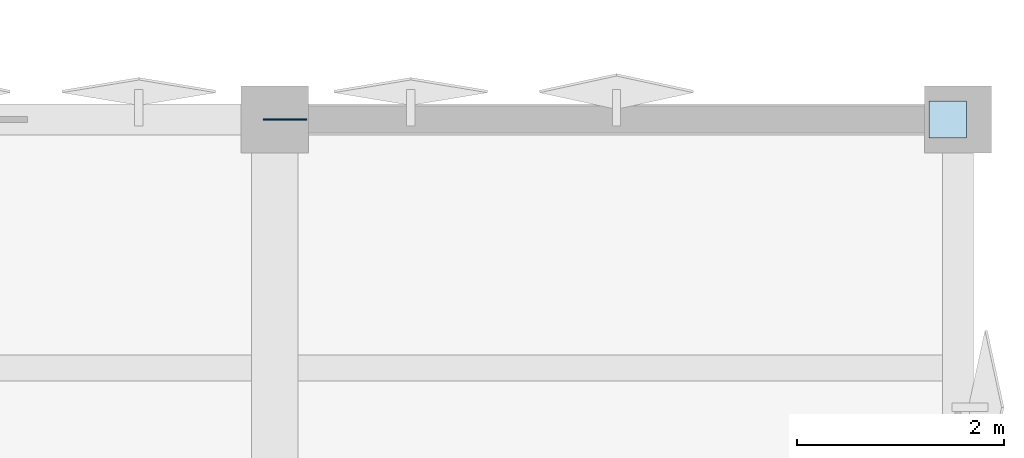
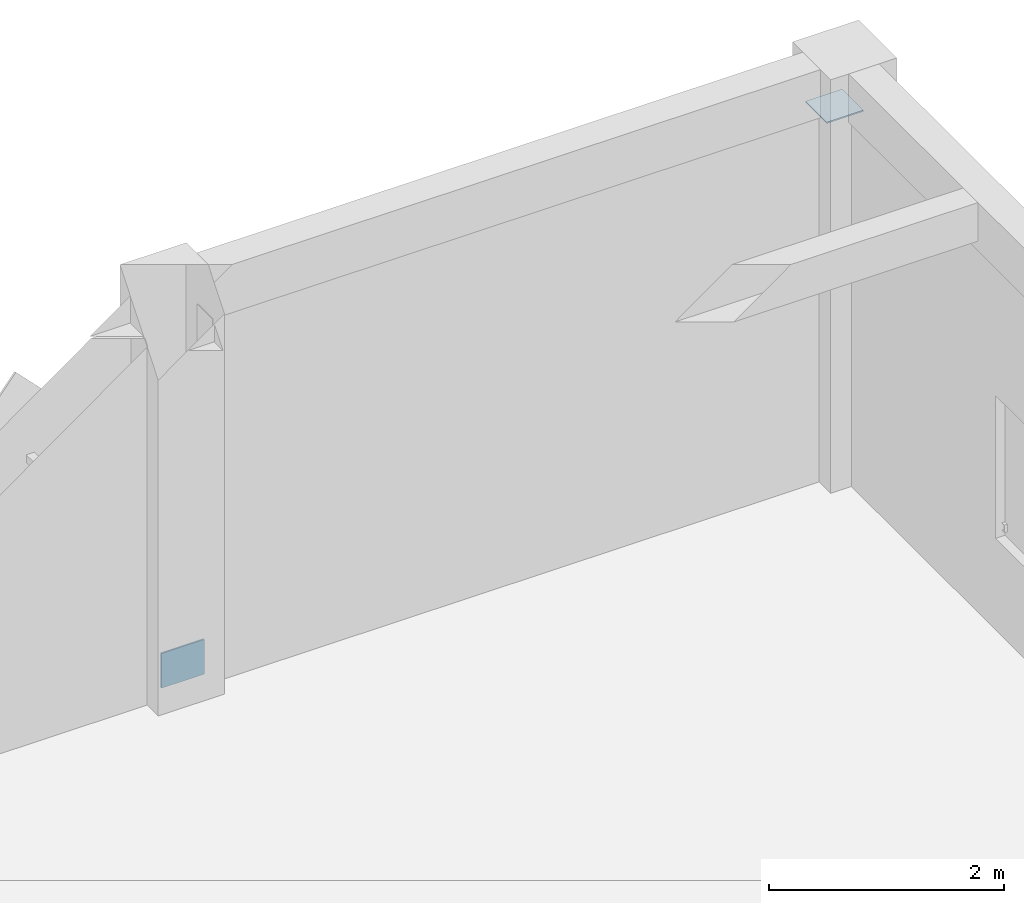
# One storey, part 35 of 48: 2 plates.
"""IFC4 building model written with IfcOpenShell, lengths in metres."""

from ifc_helpers import new_model, si_unit, direction, frame, origin, origin_2d, place, context, subcontext, project, spatial, rectangle, extrude, material, layer, layer_set, type_object, element, save


model = new_model("IFC4")

# Units and contexts
model_context = context("Model", 3, precision=1e-05, world=origin(), true_north=direction((0.0, 1.0)))
body_context = subcontext(model_context, "Body", "Model", "MODEL_VIEW")
ifc_project = project(units=[si_unit("LENGTHUNIT", "METRE"), si_unit("AREAUNIT", "SQUARE_METRE"), si_unit("VOLUMEUNIT", "CUBIC_METRE"), si_unit("PLANEANGLEUNIT", "RADIAN"), si_unit("MASSUNIT", "GRAM", prefix="KILO")], contexts=[model_context])

# Site, building, storey
site_placement = place(None, origin())
site = spatial("IfcSite", under=ifc_project, at=site_placement, CompositionType="ELEMENT")
building_placement = place(site_placement, origin())
building = spatial("IfcBuilding", under=site, at=building_placement, Name="Kharisveld Research Institute", CompositionType="ELEMENT")
storey_placement = place(building_placement, frame((0.0, 0.0, 14.10009765625)))
storey = spatial("IfcBuildingStorey", under=building, at=storey_placement, Name="L03", CompositionType="ELEMENT", Elevation=14.10009765625)

# Plates
ifc_material_1 = material(Name="Steel S355JR", Category="steel")
ifc_layer_1 = layer(ifc_material_1, 0.013916015625)
ifc_layer_set_1 = layer_set([ifc_layer_1], Name="PL_CAP_A")
plate_type_1 = type_object("IfcPlateType", Name="PL_CAP_A", PredefinedType="SHEET", material=ifc_layer_set_1)
plate_1_placement = place(storey_placement, frame((160.699951171875, 60.800048828125, 3.73291015625), z_axis=(0.0, 0.0, 1.0), x_axis=(1.0, 0.0, 0.0)))
element("IfcPlate", 1, at=plate_1_placement, inside=storey, type_object=plate_type_1, Name="PLT:V2:L03:CAP_6_3", PredefinedType="SHEET", context=body_context, shape_type="SweptSolid", body=[
    extrude(rectangle(XDim=0.360107421875, YDim=0.360107421875, at=origin_2d()), origin(), (0.0, 0.0, 1.0), 0.013916015625),
])
ifc_material_2 = material(Name="Steel S355JR", Category="steel")
ifc_layer_2 = layer(ifc_material_2, 0.01611328125)
ifc_layer_set_2 = layer_set([ifc_layer_2], Name="PL_GUS_A")
plate_type_2 = type_object("IfcPlateType", Name="PL_GUS_A", PredefinedType="USERDEFINED", material=ifc_layer_set_2)
plate_2_placement = place(storey_placement, frame((154.300048828125, 60.800048828125, 0.02001953125), z_axis=(0.0, 0.0, 1.0), x_axis=(1.0, 0.0, 0.0)))
element("IfcPlate", 2, at=plate_2_placement, inside=storey, type_object=plate_type_2, Name="PLT:V2:L03:GUS_6_3", ObjectType="GUSSET PLATE", PredefinedType="USERDEFINED", context=body_context, shape_type="SweptSolid", body=[
    extrude(rectangle(XDim=0.419921875, YDim=0.01611328125, at=origin_2d()), origin(), (0.0, 0.0, 1.0), 0.360107421875),
])

save(model, "model.ifc")
